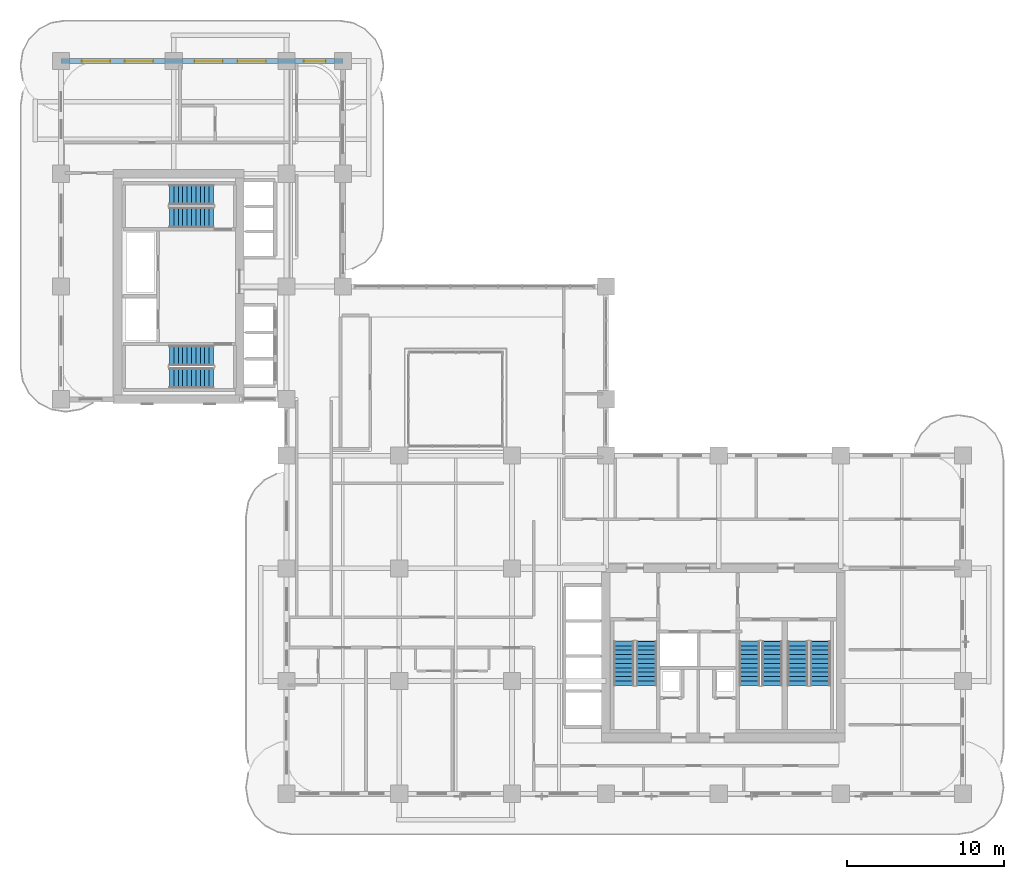
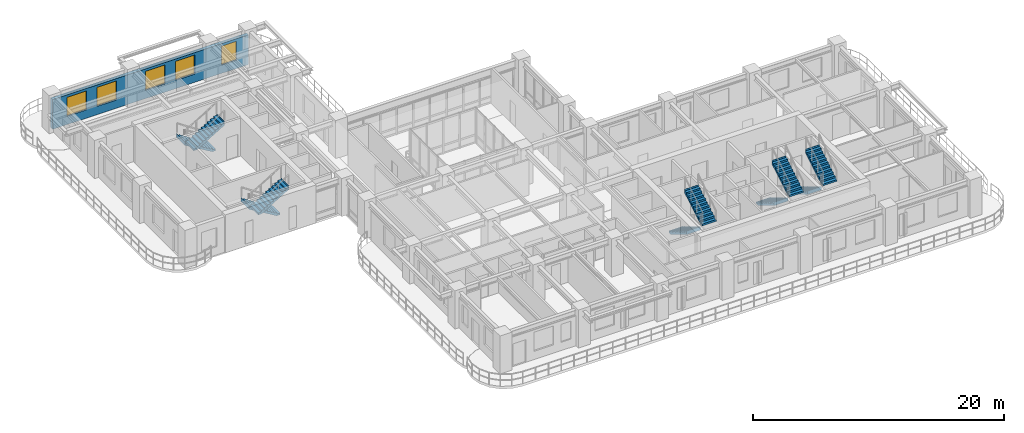
# One storey, part 17 of 22: 10 stair flights, 5 windows, 1 wall, 5 openings, 5 elements without a shape of their own.
"""IFC4 building model written with IfcOpenShell, lengths in metres."""

from ifc_helpers import new_model, si_unit, derived_unit, direction, frame, frame_2d, origin, place, context, subcontext, project, spatial, polyline, rectangle, outline, extrude, source, transform, mapped, material, layer, layer_set, type_object, type_shapes, element, fill, aggregate, save


model = new_model("IFC4")

# Units and contexts
model_context = context("Model", 3, precision=1e-05, world=origin(), true_north=direction((0.0, 1.0)))
body_context = subcontext(model_context, "Body", "Model", "MODEL_VIEW")
ifc_project = project(units=[si_unit("LENGTHUNIT", "METRE"), si_unit("AREAUNIT", "SQUARE_METRE"), si_unit("VOLUMEUNIT", "CUBIC_METRE"), si_unit("PLANEANGLEUNIT", "RADIAN"), si_unit("MASSUNIT", "GRAM", prefix="KILO"), si_unit("THERMODYNAMICTEMPERATUREUNIT", "KELVIN"), si_unit("POWERUNIT", "WATT"), derived_unit("THERMALTRANSMITTANCEUNIT", [(si_unit("POWERUNIT", "WATT"), 1), (si_unit("AREAUNIT", "SQUARE_METRE"), -1), (si_unit("THERMODYNAMICTEMPERATUREUNIT", "KELVIN"), -1)])], contexts=[model_context])

# Site, building, storey
site_placement = place(None, origin())
site = spatial("IfcSite", under=ifc_project, at=site_placement, CompositionType="ELEMENT")
building_placement = place(site_placement, origin())
building = spatial("IfcBuilding", under=site, at=building_placement, Name="Zahravan Archway Hotel and Residences", CompositionType="ELEMENT")
storey_placement = place(building_placement, frame((0.0, 0.0, 76.800048828125)))
storey = spatial("IfcBuildingStorey", under=building, at=storey_placement, Name="L18", CompositionType="ELEMENT", Elevation=76.800048828125)

# Wall, openings, windows
ifc_material_1 = material(Name="Agra Buff Sandstone & Insulated Backup", Category="masonry")
ifc_layer_1 = layer(ifc_material_1, 0.320068359375, Name="Agra Buff Sandstone & Insulated Backup", Category="masonry")
ifc_layer_set_1 = layer_set([ifc_layer_1], Name="Agra Buff Sandstone & Insulated Backup")
wall_type = type_object("IfcWallType", Name="EW-SAND-320", PredefinedType="SOLIDWALL", material=ifc_layer_set_1)
wall_placement = place(storey_placement, frame((0.0, 46.800048828125, 0.0), z_axis=(0.0, 0.0, 1.0), x_axis=(1.0, 0.0, 0.0)))
wall = element("IfcWall", 1, at=wall_placement, inside=storey, type_object=wall_type, Name="L18 Exterior Sandstone Wall WB-N", PredefinedType="SOLIDWALL", context=body_context, shape_type="SweptSolid", body=[
    extrude(rectangle(XDim=18.0, YDim=0.320068359375, at=frame_2d((9.0, 0.0))), origin(), (0.0, 0.0, 1.0), 2.885009765625),
])
opening_1_placement = place(wall_placement, frame((1.324951171875, 0.0, 0.800048828125)))
opening_1 = element("IfcOpeningElement", 2, at=opening_1_placement, cuts=wall, Name="Opening W-02", PredefinedType="OPENING", context=body_context, shape_type="SweptSolid", body=[
    extrude(rectangle(XDim=1.800048828125, YDim=1.85009765625, at=frame_2d((0.89990234375, 0.925048828125))), frame((0.0, 0.169921875, 0.0), z_axis=(0.0, -1.0, 0.0), x_axis=(1.0, 0.0, 0.0)), (0.0, 0.0, 1.0), 0.340087890625),
])
opening_2_placement = place(wall_placement, frame((4.074951171875, 0.0, 0.800048828125)))
opening_2 = element("IfcOpeningElement", 3, at=opening_2_placement, cuts=wall, Name="Opening W-02", PredefinedType="OPENING", context=body_context, shape_type="SweptSolid", body=[
    extrude(rectangle(XDim=1.800048828125, YDim=1.85009765625, at=frame_2d((0.89990234375, 0.925048828125))), frame((0.0, 0.169921875, 0.0), z_axis=(0.0, -1.0, 0.0), x_axis=(1.0, 0.0, 0.0)), (0.0, 0.0, 1.0), 0.340087890625),
])
opening_3_placement = place(wall_placement, frame((8.52490234375, 0.0, 0.800048828125)))
opening_3 = element("IfcOpeningElement", 4, at=opening_3_placement, cuts=wall, Name="Opening W-02", PredefinedType="OPENING", context=body_context, shape_type="SweptSolid", body=[
    extrude(rectangle(XDim=1.800048828125, YDim=1.85009765625, at=frame_2d((0.89990234375, 0.925048828125))), frame((0.0, 0.169921875, 0.0), z_axis=(0.0, -1.0, 0.0), x_axis=(1.0, 0.0, 0.0)), (0.0, 0.0, 1.0), 0.340087890625),
])
opening_4_placement = place(wall_placement, frame((11.27490234375, 0.0, 0.800048828125)))
opening_4 = element("IfcOpeningElement", 5, at=opening_4_placement, cuts=wall, Name="Opening W-02", PredefinedType="OPENING", context=body_context, shape_type="SweptSolid", body=[
    extrude(rectangle(XDim=1.800048828125, YDim=1.85009765625, at=frame_2d((0.89990234375, 0.925048828125))), frame((0.0, 0.169921875, 0.0), z_axis=(0.0, -1.0, 0.0), x_axis=(1.0, 0.0, 0.0)), (0.0, 0.0, 1.0), 0.340087890625),
])
opening_5_placement = place(wall_placement, frame((15.5, 0.0, 0.800048828125)))
opening_5 = element("IfcOpeningElement", 6, at=opening_5_placement, cuts=wall, Name="Opening W-03", PredefinedType="OPENING", context=body_context, shape_type="SweptSolid", body=[
    extrude(rectangle(XDim=1.39990234375, YDim=1.85009765625, at=frame_2d((0.699951171875, 0.925048828125))), frame((0.0, 0.169921875, 0.0), z_axis=(0.0, -1.0, 0.0), x_axis=(1.0, 0.0, 0.0)), (0.0, 0.0, 1.0), 0.340087890625),
])
ifc_material_2 = material(Name="Bronze-Anodized Thermal-Break Aluminium & Low-E Glass", Category="aluminium")
window_type_1 = type_object("IfcWindowType", Name="WIN-TWR-1400", PartitioningType="SINGLE_PANEL", PredefinedType="WINDOW", material=ifc_material_2)
shared_shape_1 = source(origin(), body_context, "Body", "SweptSolid", [
    extrude(rectangle(XDim=1.39990234375, YDim=1.85009765625, at=frame_2d((0.699951171875, 0.925048828125))), frame((0.0, 0.030029296875, 0.0), z_axis=(0.0, -1.0, 0.0), x_axis=(1.0, 0.0, 0.0)), (0.0, 0.0, 1.0), 0.06005859375),
])
type_shapes(window_type_1, [shared_shape_1])
window_1_placement = place(opening_5_placement, origin())
window_1 = element("IfcWindow", 7, at=window_1_placement, inside=storey, type_object=window_type_1, Name="L18 Loggia Window 38", OverallHeight=1.85009765625, OverallWidth=1.39990234375, PartitioningType="SINGLE_PANEL", PredefinedType="WINDOW", context=body_context, shape_type="MappedRepresentation", body=[
    mapped(shared_shape_1, transform((0.0, 0.0, 0.0), scale=1.0)),
])
fill(opening_5, window_1)
window_type_2 = type_object("IfcWindowType", Name="WIN-TWR-1800", PartitioningType="DOUBLE_PANEL_VERTICAL", PredefinedType="WINDOW", material=ifc_material_2)
shared_shape_2 = source(origin(), body_context, "Body", "SweptSolid", [
    extrude(rectangle(XDim=1.800048828125, YDim=1.85009765625, at=frame_2d((0.89990234375, 0.925048828125))), frame((0.0, 0.030029296875, 0.0), z_axis=(0.0, -1.0, 0.0), x_axis=(1.0, 0.0, 0.0)), (0.0, 0.0, 1.0), 0.06005859375),
])
type_shapes(window_type_2, [shared_shape_2])
window_2_placement = place(opening_1_placement, origin())
window_2 = element("IfcWindow", 8, at=window_2_placement, inside=storey, type_object=window_type_2, Name="L18 Loggia Window 34", OverallHeight=1.85009765625, OverallWidth=1.800048828125, PartitioningType="DOUBLE_PANEL_VERTICAL", PredefinedType="WINDOW", context=body_context, shape_type="MappedRepresentation", body=[
    mapped(shared_shape_2, transform((0.0, 0.0, 0.0), scale=1.0)),
])
fill(opening_1, window_2)
window_3_placement = place(opening_2_placement, origin())
window_3 = element("IfcWindow", 9, at=window_3_placement, inside=storey, type_object=window_type_2, Name="L18 Loggia Window 35", OverallHeight=1.85009765625, OverallWidth=1.800048828125, PartitioningType="DOUBLE_PANEL_VERTICAL", PredefinedType="WINDOW", context=body_context, shape_type="MappedRepresentation", body=[
    mapped(shared_shape_2, transform((0.0, 0.0, 0.0), scale=1.0)),
])
fill(opening_2, window_3)
window_4_placement = place(opening_3_placement, origin())
window_4 = element("IfcWindow", 10, at=window_4_placement, inside=storey, type_object=window_type_2, Name="L18 Loggia Window 36", OverallHeight=1.85009765625, OverallWidth=1.800048828125, PartitioningType="DOUBLE_PANEL_VERTICAL", PredefinedType="WINDOW", context=body_context, shape_type="MappedRepresentation", body=[
    mapped(shared_shape_2, transform((0.0, 0.0, 0.0), scale=1.0)),
])
fill(opening_3, window_4)
window_5_placement = place(opening_4_placement, origin())
window_5 = element("IfcWindow", 11, at=window_5_placement, inside=storey, type_object=window_type_2, Name="L18 Loggia Window 37", OverallHeight=1.85009765625, OverallWidth=1.800048828125, PartitioningType="DOUBLE_PANEL_VERTICAL", PredefinedType="WINDOW", context=body_context, shape_type="MappedRepresentation", body=[
    mapped(shared_shape_2, transform((0.0, 0.0, 0.0), scale=1.0)),
])
fill(opening_4, window_5)

# Stair, stair flights
ifc_material_3 = material(Name="Concrete C50/60", Category="concrete")
stair_type = type_object("IfcStairType", Name="STR-CORE-1300", PredefinedType="HALF_TURN_STAIR", material=ifc_material_3)
stair_1_placement = place(storey_placement, origin())
stair_1 = element("IfcStair", 12, at=stair_1_placement, inside=storey, type_object=stair_type, Name="L18 Core A Exit Stair 1", PredefinedType="HALF_TURN_STAIR")
ifc_layer_2 = layer(ifc_material_3, 0.199951171875, Name="Concrete C50/60", Category="concrete")
ifc_layer_set_2 = layer_set([ifc_layer_2], Name="Concrete C50/60")
stair_flight_type = type_object("IfcStairFlightType", Name="SFL-CORE-1300", PredefinedType="STRAIGHT", material=ifc_layer_set_2)
shared_shape_3 = source(origin(), body_context, "Body", "SweptSolid", [
    extrude(outline(polyline([(-0.01611328125, 0.0), (-0.01611328125, 0.168212890625), (0.280029296875, 0.168212890625), (0.280029296875, 0.33642578125), (0.56005859375, 0.33642578125), (0.56005859375, 0.504638671875), (0.840087890625, 0.504638671875), (0.840087890625, 0.672607421875), (1.1201171875, 0.672607421875), (1.1201171875, 0.8408203125), (1.39990234375, 0.8408203125), (1.39990234375, 1.009033203125), (1.679931640625, 1.009033203125), (1.679931640625, 1.17724609375), (1.9599609375, 1.17724609375), (1.9599609375, 1.345458984375), (2.239990234375, 1.345458984375), (2.239990234375, 1.513671875), (2.52001953125, 1.513671875), (2.52001953125, 1.681884765625), (2.800048828125, 1.681884765625), (2.800048828125, 1.85009765625), (2.816162109375, 1.85009765625), (2.816162109375, 1.5068359375), (0.291015625, 0.0), (-0.01611328125, 0.0)])), frame((0.0, 0.64990234375, 0.0), z_axis=(0.0, -1.0, 0.0), x_axis=(1.0, 0.0, 0.0)), (0.0, 0.0, 1.0), 1.300048828125),
])
stair_flight_1_placement = place(storey_placement, frame((35.949951171875, 9.72998046875, 0.0), z_axis=(0.0, 0.0, 1.0), x_axis=(0.0, -1.0, 0.0)))
stair_flight_1 = element("IfcStairFlight", 13, at=stair_flight_1_placement, type_object=stair_flight_type, Name="ST-A1 flight 1", NumberOfRisers=11, NumberOfTreads=10, PredefinedType="STRAIGHT", RiserHeight=0.168181818, TreadLength=0.28, context=body_context, shape_type="MappedRepresentation", body=[
    mapped(shared_shape_3, transform((0.0, 0.0, 0.0), scale=1.0)),
])
stair_flight_2_placement = place(storey_placement, frame((37.389892578125, 6.929931640625, 1.849853515625), z_axis=(0.0, 0.0, 1.0), x_axis=(0.0, 1.0, 0.0)))
stair_flight_2 = element("IfcStairFlight", 14, at=stair_flight_2_placement, type_object=stair_flight_type, Name="ST-A1 flight 2", NumberOfRisers=11, NumberOfTreads=10, PredefinedType="STRAIGHT", RiserHeight=0.168181818, TreadLength=0.28, context=body_context, shape_type="MappedRepresentation", body=[
    mapped(shared_shape_3, transform((0.0, 0.0, 0.0), scale=1.0)),
])
aggregate(stair_1, [stair_flight_1, stair_flight_2])

stair_2_placement = place(storey_placement, origin())
stair_2 = element("IfcStair", 15, at=stair_2_placement, inside=storey, type_object=stair_type, Name="L18 Core A Exit Stair 2", PredefinedType="HALF_TURN_STAIR")
stair_flight_3_placement = place(storey_placement, frame((43.969970703125, 9.72998046875, 0.0), z_axis=(0.0, 0.0, 1.0), x_axis=(0.0, -1.0, 0.0)))
stair_flight_3 = element("IfcStairFlight", 16, at=stair_flight_3_placement, type_object=stair_flight_type, Name="ST-A2 flight 1", NumberOfRisers=11, NumberOfTreads=10, PredefinedType="STRAIGHT", RiserHeight=0.168181818, TreadLength=0.28, context=body_context, shape_type="MappedRepresentation", body=[
    mapped(shared_shape_3, transform((0.0, 0.0, 0.0), scale=1.0)),
])
stair_flight_4_placement = place(storey_placement, frame((45.409912109375, 6.929931640625, 1.849853515625), z_axis=(0.0, 0.0, 1.0), x_axis=(0.0, 1.0, 0.0)))
stair_flight_4 = element("IfcStairFlight", 17, at=stair_flight_4_placement, type_object=stair_flight_type, Name="ST-A2 flight 2", NumberOfRisers=11, NumberOfTreads=10, PredefinedType="STRAIGHT", RiserHeight=0.168181818, TreadLength=0.28, context=body_context, shape_type="MappedRepresentation", body=[
    mapped(shared_shape_3, transform((0.0, 0.0, 0.0), scale=1.0)),
])
aggregate(stair_2, [stair_flight_3, stair_flight_4])

stair_3_placement = place(storey_placement, origin())
stair_3 = element("IfcStair", 18, at=stair_3_placement, inside=storey, type_object=stair_type, Name="L18 Core A Exit Stair 3", PredefinedType="HALF_TURN_STAIR")
stair_flight_5_placement = place(storey_placement, frame((47.050048828125, 9.72998046875, 0.0), z_axis=(0.0, 0.0, 1.0), x_axis=(0.0, -1.0, 0.0)))
stair_flight_5 = element("IfcStairFlight", 19, at=stair_flight_5_placement, type_object=stair_flight_type, Name="ST-A3 flight 1", NumberOfRisers=11, NumberOfTreads=10, PredefinedType="STRAIGHT", RiserHeight=0.168181818, TreadLength=0.28, context=body_context, shape_type="MappedRepresentation", body=[
    mapped(shared_shape_3, transform((0.0, 0.0, 0.0), scale=1.0)),
])
stair_flight_6_placement = place(storey_placement, frame((48.489990234375, 6.929931640625, 1.849853515625), z_axis=(0.0, 0.0, 1.0), x_axis=(0.0, 1.0, 0.0)))
stair_flight_6 = element("IfcStairFlight", 20, at=stair_flight_6_placement, type_object=stair_flight_type, Name="ST-A3 flight 2", NumberOfRisers=11, NumberOfTreads=10, PredefinedType="STRAIGHT", RiserHeight=0.168181818, TreadLength=0.28, context=body_context, shape_type="MappedRepresentation", body=[
    mapped(shared_shape_3, transform((0.0, 0.0, 0.0), scale=1.0)),
])
aggregate(stair_3, [stair_flight_5, stair_flight_6])

stair_4_placement = place(storey_placement, origin())
stair_4 = element("IfcStair", 21, at=stair_4_placement, inside=storey, type_object=stair_type, Name="L18 Core B Exit Stair 1", PredefinedType="HALF_TURN_STAIR")
stair_flight_7_placement = place(storey_placement, frame((9.72998046875, 27.989990234375, 0.0), z_axis=(0.0, 0.0, 1.0), x_axis=(-1.0, 0.0, 0.0)))
stair_flight_7 = element("IfcStairFlight", 22, at=stair_flight_7_placement, type_object=stair_flight_type, Name="ST-B1 flight 1", NumberOfRisers=11, NumberOfTreads=10, PredefinedType="STRAIGHT", RiserHeight=0.168181818, TreadLength=0.28, context=body_context, shape_type="MappedRepresentation", body=[
    mapped(shared_shape_3, transform((0.0, 0.0, 0.0), scale=1.0)),
])
stair_flight_8_placement = place(storey_placement, frame((6.929931640625, 26.550048828125, 1.849853515625), z_axis=(0.0, 0.0, 1.0), x_axis=(1.0, 0.0, 0.0)))
stair_flight_8 = element("IfcStairFlight", 23, at=stair_flight_8_placement, type_object=stair_flight_type, Name="ST-B1 flight 2", NumberOfRisers=11, NumberOfTreads=10, PredefinedType="STRAIGHT", RiserHeight=0.168181818, TreadLength=0.28, context=body_context, shape_type="MappedRepresentation", body=[
    mapped(shared_shape_3, transform((0.0, 0.0, 0.0), scale=1.0)),
])
aggregate(stair_4, [stair_flight_7, stair_flight_8])

stair_5_placement = place(storey_placement, origin())
stair_5 = element("IfcStair", 24, at=stair_5_placement, inside=storey, type_object=stair_type, Name="L18 Core B Exit Stair 2", PredefinedType="HALF_TURN_STAIR")
stair_flight_9_placement = place(storey_placement, frame((9.72998046875, 38.25, 0.0), z_axis=(0.0, 0.0, 1.0), x_axis=(-1.0, 0.0, 0.0)))
stair_flight_9 = element("IfcStairFlight", 25, at=stair_flight_9_placement, type_object=stair_flight_type, Name="ST-B2 flight 1", NumberOfRisers=11, NumberOfTreads=10, PredefinedType="STRAIGHT", RiserHeight=0.168181818, TreadLength=0.28, context=body_context, shape_type="MappedRepresentation", body=[
    mapped(shared_shape_3, transform((0.0, 0.0, 0.0), scale=1.0)),
])
stair_flight_10_placement = place(storey_placement, frame((6.929931640625, 36.81005859375, 1.849853515625), z_axis=(0.0, 0.0, 1.0), x_axis=(1.0, 0.0, 0.0)))
stair_flight_10 = element("IfcStairFlight", 26, at=stair_flight_10_placement, type_object=stair_flight_type, Name="ST-B2 flight 2", NumberOfRisers=11, NumberOfTreads=10, PredefinedType="STRAIGHT", RiserHeight=0.168181818, TreadLength=0.28, context=body_context, shape_type="MappedRepresentation", body=[
    mapped(shared_shape_3, transform((0.0, 0.0, 0.0), scale=1.0)),
])
aggregate(stair_5, [stair_flight_9, stair_flight_10])

save(model, "model.ifc")
